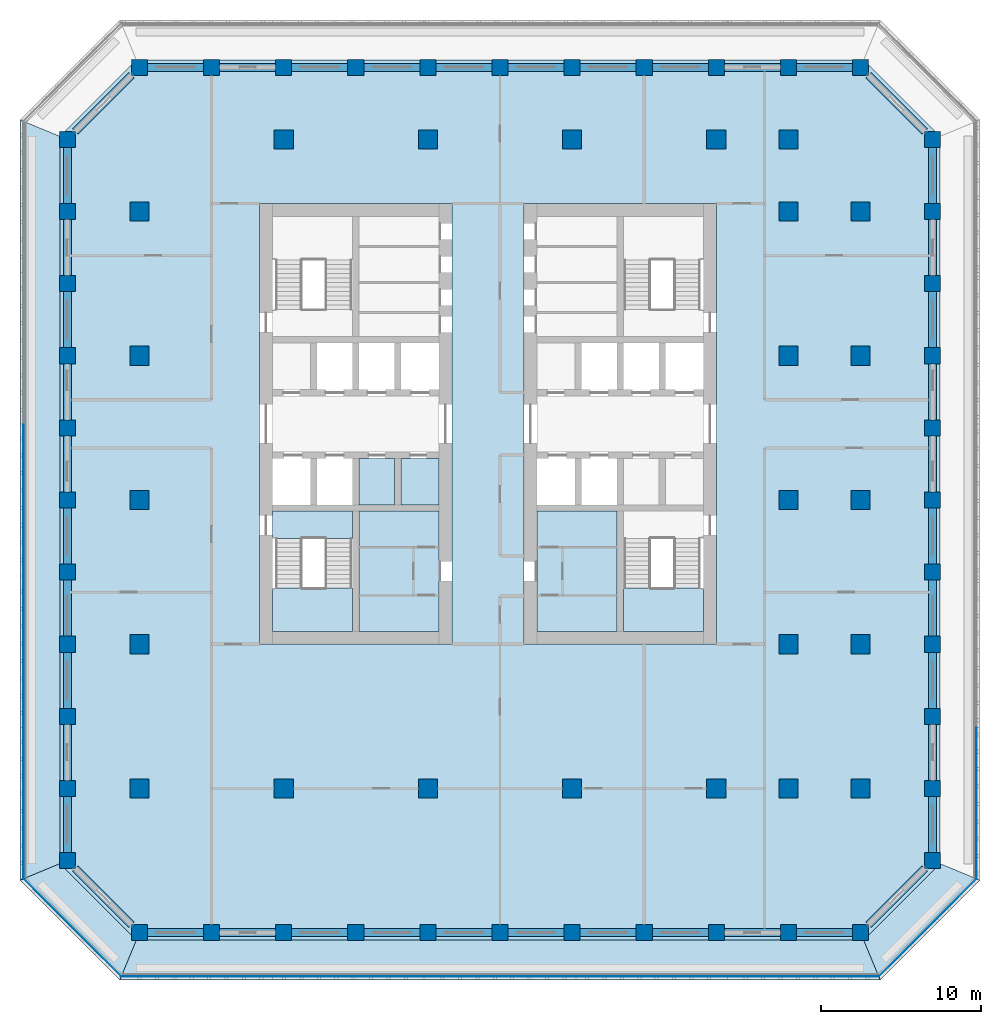
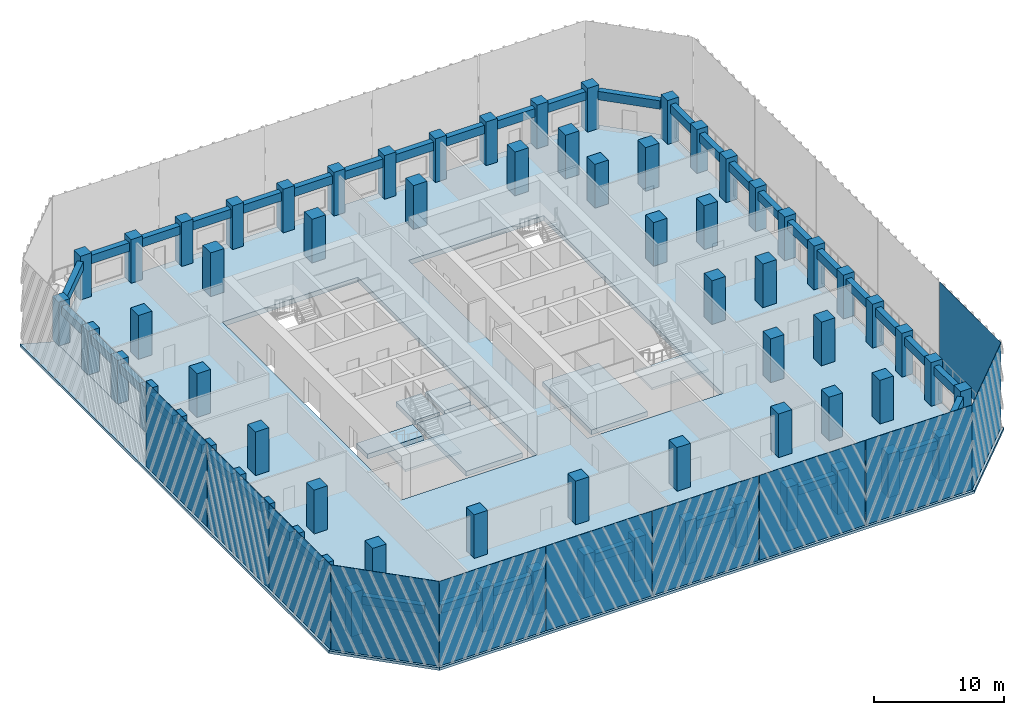
# One storey, part 1 of 16: 68 columns, 44 beams, 12 slabs, 11 plates, 2 elements without a shape of their own.
"""IFC4 building model written with IfcOpenShell, lengths in metres."""

from ifc_helpers import new_model, si_unit, direction, frame, origin, origin_2d, place, context, subcontext, project, spatial, polyline, rectangle, outline, extrude, material, layer, layer_set, material_profile, profile_set, type_object, element, aggregate, save


model = new_model("IFC4")

# Units and contexts
model_context = context("Model", 3, precision=1e-05, world=origin(), true_north=direction((0.0, 1.0)))
body_context = subcontext(model_context, "Body", "Model", "MODEL_VIEW")
ifc_project = project(units=[si_unit("LENGTHUNIT", "METRE"), si_unit("AREAUNIT", "SQUARE_METRE"), si_unit("VOLUMEUNIT", "CUBIC_METRE"), si_unit("PLANEANGLEUNIT", "RADIAN"), si_unit("MASSUNIT", "GRAM", prefix="KILO")], contexts=[model_context])

# Site, building, storey
site_placement = place(None, origin())
site = spatial("IfcSite", under=ifc_project, at=site_placement, CompositionType="ELEMENT")
building_placement = place(site_placement, origin())
building = spatial("IfcBuilding", under=site, at=building_placement, Name="Corbel Stack Research Tower", CompositionType="ELEMENT")
storey_placement = place(building_placement, frame((0.0, 0.0, 199.699951171875)))
storey = spatial("IfcBuildingStorey", under=building, at=storey_placement, Name="L45", CompositionType="ELEMENT", Elevation=199.699951171875)

# Columns
ifc_material_1 = material(Name="Concrete C60/75", Category="concrete")
ifc_material_profile_1 = material_profile(ifc_material_1, rectangle(XDim=1.0, YDim=1.0, at=origin_2d()), Name="RC 1000 x 1000")
ifc_profile_set_1 = profile_set([ifc_material_profile_1], Name="Concrete C60/75")
column_type_1 = type_object("IfcColumnType", Name="C-1000-60", PredefinedType="COLUMN", material=ifc_profile_set_1)
for number, where, z_axis, x_axis, name in (
    (1, (-22.5, -22.5, 0.0), (0.0, 0.0, 1.0), (1.0, 0.0, 0.0), "Column 3/C L45"),
    (2, (-22.5, -18.0, 0.0), (0.0, 0.0, 1.0), (1.0, 0.0, 0.0), "Column 3/D L45"),
    (3, (-22.5, -13.5, 0.0), (0.0, 0.0, 1.0), (1.0, 0.0, 0.0), "Column 3/E L45"),
    (4, (-22.5, -9.0, 0.0), (0.0, 0.0, 1.0), (1.0, 0.0, 0.0), "Column 3/F L45"),
    (5, (-22.5, -4.5, 0.0), (0.0, 0.0, 1.0), (1.0, 0.0, 0.0), "Column 3/G L45"),
    (6, (-22.5, 0.0, 0.0), (0.0, 0.0, 1.0), (1.0, 0.0, 0.0), "Column 3/H L45"),
    (7, (-22.5, 4.5, 0.0), (0.0, 0.0, 1.0), (1.0, 0.0, 0.0), "Column 3/J L45"),
    (8, (-22.5, 9.0, 0.0), (0.0, 0.0, 1.0), (1.0, 0.0, 0.0), "Column 3/K L45"),
    (9, (-22.5, 13.5, 0.0), (0.0, 0.0, 1.0), (1.0, 0.0, 0.0), "Column 3/L L45"),
    (10, (-22.5, 18.0, 0.0), (0.0, 0.0, 1.0), (1.0, 0.0, 0.0), "Column 3/M L45"),
    (11, (-22.5, 22.5, 0.0), (0.0, 0.0, 1.0), (1.0, 0.0, 0.0), "Column 3/N L45"),
    (12, (-18.0, -27.0, 0.0), (0.0, 0.0, 1.0), (1.0, 0.0, 0.0), "Column 4/B L45"),
    (13, (-18.0, 27.0, 0.0), (0.0, 0.0, 1.0), (1.0, 0.0, 0.0), "Column 4/P L45"),
    (14, (-13.5, -27.0, 0.0), (0.0, 0.0, 1.0), (1.0, 0.0, 0.0), "Column 5/B L45"),
    (15, (-13.5, 27.0, 0.0), (0.0, 0.0, 1.0), (1.0, 0.0, 0.0), "Column 5/P L45"),
    (16, (-9.0, -27.0, 0.0), (0.0, 0.0, 1.0), (1.0, 0.0, 0.0), "Column 6/B L45"),
    (17, (-9.0, 27.0, 0.0), (0.0, 0.0, 1.0), (1.0, 0.0, 0.0), "Column 6/P L45"),
    (18, (-4.5, -27.0, 0.0), (0.0, 0.0, 1.0), (1.0, 0.0, 0.0), "Column 7/B L45"),
    (19, (-4.5, 27.0, 0.0), (0.0, 0.0, 1.0), (1.0, 0.0, 0.0), "Column 7/P L45"),
    (20, (0.0, -27.0, 0.0), (0.0, 0.0, 1.0), (1.0, 0.0, 0.0), "Column 8/B L45"),
    (21, (0.0, 27.0, 0.0), (0.0, 0.0, 1.0), (1.0, 0.0, 0.0), "Column 8/P L45"),
    (22, (4.5, -27.0, 0.0), (0.0, 0.0, 1.0), (1.0, 0.0, 0.0), "Column 9/B L45"),
    (23, (4.5, 27.0, 0.0), (0.0, 0.0, 1.0), (1.0, 0.0, 0.0), "Column 9/P L45"),
    (24, (9.0, -27.0, 0.0), (0.0, 0.0, 1.0), (1.0, 0.0, 0.0), "Column 10/B L45"),
    (25, (9.0, 27.0, 0.0), (0.0, 0.0, 1.0), (1.0, 0.0, 0.0), "Column 10/P L45"),
    (26, (13.5, -27.0, 0.0), (0.0, 0.0, 1.0), (1.0, 0.0, 0.0), "Column 11/B L45"),
    (27, (13.5, 27.0, 0.0), (0.0, 0.0, 1.0), (1.0, 0.0, 0.0), "Column 11/P L45"),
    (28, (18.0, -27.0, 0.0), (0.0, 0.0, 1.0), (1.0, 0.0, 0.0), "Column 12/B L45"),
    (29, (18.0, 27.0, 0.0), (0.0, 0.0, 1.0), (1.0, 0.0, 0.0), "Column 12/P L45"),
    (30, (22.5, -27.0, 0.0), (0.0, 0.0, 1.0), (1.0, 0.0, 0.0), "Column 13/B L45"),
    (31, (22.5, 27.0, 0.0), (0.0, 0.0, 1.0), (1.0, 0.0, 0.0), "Column 13/P L45"),
    (32, (27.0, -27.0, 0.0), (0.0, 0.0, 1.0), (1.0, 0.0, 0.0), "Column 14/B L45"),
    (33, (27.0, 27.0, 0.0), (0.0, 0.0, 1.0), (1.0, 0.0, 0.0), "Column 14/P L45"),
    (34, (31.5, -22.5, 0.0), (0.0, 0.0, 1.0), (1.0, 0.0, 0.0), "Column 15/C L45"),
    (35, (31.5, -18.0, 0.0), (0.0, 0.0, 1.0), (1.0, 0.0, 0.0), "Column 15/D L45"),
    (36, (31.5, -13.5, 0.0), (0.0, 0.0, 1.0), (1.0, 0.0, 0.0), "Column 15/E L45"),
    (37, (31.5, -9.0, 0.0), (0.0, 0.0, 1.0), (1.0, 0.0, 0.0), "Column 15/F L45"),
    (38, (31.5, -4.5, 0.0), (0.0, 0.0, 1.0), (1.0, 0.0, 0.0), "Column 15/G L45"),
    (39, (31.5, 0.0, 0.0), (0.0, 0.0, 1.0), (1.0, 0.0, 0.0), "Column 15/H L45"),
    (40, (31.5, 4.5, 0.0), (0.0, 0.0, 1.0), (1.0, 0.0, 0.0), "Column 15/J L45"),
    (41, (31.5, 9.0, 0.0), (0.0, 0.0, 1.0), (1.0, 0.0, 0.0), "Column 15/K L45"),
    (42, (31.5, 13.5, 0.0), (0.0, 0.0, 1.0), (1.0, 0.0, 0.0), "Column 15/L L45"),
    (43, (31.5, 18.0, 0.0), (0.0, 0.0, 1.0), (1.0, 0.0, 0.0), "Column 15/M L45"),
    (44, (31.5, 22.5, 0.0), (0.0, 0.0, 1.0), (1.0, 0.0, 0.0), "Column 15/N L45"),
):
    element("IfcColumn", number, at=place(storey_placement, frame(where, z_axis=z_axis, x_axis=x_axis)), inside=storey, type_object=column_type_1, Name=name, PredefinedType="COLUMN", context=body_context, shape_type="SweptSolid", body=[
        extrude(rectangle(XDim=1.0, YDim=1.0, at=origin_2d()), origin(), (0.0, 0.0, 1.0), 4.10009765625),
    ])
ifc_material_2 = material(Name="Concrete C60/75", Category="concrete")
ifc_material_profile_2 = material_profile(ifc_material_2, rectangle(XDim=1.199951171875, YDim=1.199951171875, at=origin_2d()), Name="RC 1200 x 1200")
ifc_profile_set_2 = profile_set([ifc_material_profile_2], Name="Concrete C60/75")
column_type_2 = type_object("IfcColumnType", Name="C-1200-60", PredefinedType="COLUMN", material=ifc_profile_set_2)
for number, where, z_axis, x_axis, name in (
    (45, (-18.0, -18.0, 0.0), (0.0, 0.0, 1.0), (1.0, 0.0, 0.0), "Column 4/D L45"),
    (46, (-18.0, -9.0, 0.0), (0.0, 0.0, 1.0), (1.0, 0.0, 0.0), "Column 4/F L45"),
    (47, (-18.0, 0.0, 0.0), (0.0, 0.0, 1.0), (1.0, 0.0, 0.0), "Column 4/H L45"),
    (48, (-18.0, 9.0, 0.0), (0.0, 0.0, 1.0), (1.0, 0.0, 0.0), "Column 4/K L45"),
    (49, (-18.0, 18.0, 0.0), (0.0, 0.0, 1.0), (1.0, 0.0, 0.0), "Column 4/M L45"),
    (50, (-9.0, -18.0, 0.0), (0.0, 0.0, 1.0), (1.0, 0.0, 0.0), "Column 6/D L45"),
    (51, (-9.0, 22.5, 0.0), (0.0, 0.0, 1.0), (1.0, 0.0, 0.0), "Column 6/N L45"),
    (52, (0.0, -18.0, 0.0), (0.0, 0.0, 1.0), (1.0, 0.0, 0.0), "Column 8/D L45"),
    (53, (0.0, 22.5, 0.0), (0.0, 0.0, 1.0), (1.0, 0.0, 0.0), "Column 8/N L45"),
    (54, (9.0, -18.0, 0.0), (0.0, 0.0, 1.0), (1.0, 0.0, 0.0), "Column 10/D L45"),
    (55, (9.0, 22.5, 0.0), (0.0, 0.0, 1.0), (1.0, 0.0, 0.0), "Column 10/N L45"),
    (56, (18.0, -18.0, 0.0), (0.0, 0.0, 1.0), (1.0, 0.0, 0.0), "Column 12/D L45"),
    (57, (18.0, 22.5, 0.0), (0.0, 0.0, 1.0), (1.0, 0.0, 0.0), "Column 12/N L45"),
    (58, (22.5, -18.0, 0.0), (0.0, 0.0, 1.0), (1.0, 0.0, 0.0), "Column 13/D L45"),
    (59, (22.5, -9.0, 0.0), (0.0, 0.0, 1.0), (1.0, 0.0, 0.0), "Column 13/F L45"),
    (60, (22.5, 0.0, 0.0), (0.0, 0.0, 1.0), (1.0, 0.0, 0.0), "Column 13/H L45"),
    (61, (22.5, 9.0, 0.0), (0.0, 0.0, 1.0), (1.0, 0.0, 0.0), "Column 13/K L45"),
    (62, (22.5, 18.0, 0.0), (0.0, 0.0, 1.0), (1.0, 0.0, 0.0), "Column 13/M L45"),
    (63, (22.5, 22.5, 0.0), (0.0, 0.0, 1.0), (1.0, 0.0, 0.0), "Column 13/N L45"),
    (64, (27.0, -18.0, 0.0), (0.0, 0.0, 1.0), (1.0, 0.0, 0.0), "Column 14/D L45"),
    (65, (27.0, -9.0, 0.0), (0.0, 0.0, 1.0), (1.0, 0.0, 0.0), "Column 14/F L45"),
    (66, (27.0, 0.0, 0.0), (0.0, 0.0, 1.0), (1.0, 0.0, 0.0), "Column 14/H L45"),
    (67, (27.0, 9.0, 0.0), (0.0, 0.0, 1.0), (1.0, 0.0, 0.0), "Column 14/K L45"),
    (68, (27.0, 18.0, 0.0), (0.0, 0.0, 1.0), (1.0, 0.0, 0.0), "Column 14/M L45"),
):
    element("IfcColumn", number, at=place(storey_placement, frame(where, z_axis=z_axis, x_axis=x_axis)), inside=storey, type_object=column_type_2, Name=name, PredefinedType="COLUMN", context=body_context, shape_type="SweptSolid", body=[
        extrude(rectangle(XDim=1.199951171875, YDim=1.199951171875, at=origin_2d()), origin(), (0.0, 0.0, 1.0), 4.10009765625),
    ])

# Beams
ifc_material_3 = material(Name="Concrete C60/75", Category="concrete")
ifc_material_profile_3 = material_profile(ifc_material_3, rectangle(XDim=0.5, YDim=0.800048828125, at=origin_2d()), Name="RC 500 x 800")
ifc_profile_set_3 = profile_set([ifc_material_profile_3], Name="Concrete C60/75")
beam_type = type_object("IfcBeamType", Name="SB-500-800-450", PredefinedType="SPANDREL", material=ifc_profile_set_3)
for number, where, z_axis, x_axis, name in (
    (69, (-17.5, -27.0, 3.25), (1.0, 0.0, 0.0), (0.0, 1.0, 0.0), "Spandrel beam L45-01"),
    (70, (-13.0, -27.0, 3.25), (1.0, 0.0, 0.0), (0.0, 1.0, 0.0), "Spandrel beam L45-02"),
    (71, (-8.5, -27.0, 3.25), (1.0, 0.0, 0.0), (0.0, 1.0, 0.0), "Spandrel beam L45-03"),
    (72, (-4.0, -27.0, 3.25), (1.0, 0.0, 0.0), (0.0, 1.0, 0.0), "Spandrel beam L45-04"),
    (73, (0.5, -27.0, 3.25), (1.0, 0.0, 0.0), (0.0, 1.0, 0.0), "Spandrel beam L45-05"),
    (74, (5.0, -27.0, 3.25), (1.0, 0.0, 0.0), (0.0, 1.0, 0.0), "Spandrel beam L45-06"),
    (75, (9.5, -27.0, 3.25), (1.0, 0.0, 0.0), (0.0, 1.0, 0.0), "Spandrel beam L45-07"),
    (76, (14.0, -27.0, 3.25), (1.0, 0.0, 0.0), (0.0, 1.0, 0.0), "Spandrel beam L45-08"),
    (77, (18.5, -27.0, 3.25), (1.0, 0.0, 0.0), (0.0, 1.0, 0.0), "Spandrel beam L45-09"),
    (78, (23.0, -27.0, 3.25), (1.0, 0.0, 0.0), (0.0, 1.0, 0.0), "Spandrel beam L45-10"),
):
    element("IfcBeam", number, at=place(storey_placement, frame(where, z_axis=z_axis, x_axis=x_axis)), inside=storey, type_object=beam_type, Name=name, PredefinedType="SPANDREL", context=body_context, shape_type="SweptSolid", body=[
        extrude(rectangle(XDim=0.5, YDim=0.800048828125, at=origin_2d()), origin(), (0.0, 0.0, 1.0), 3.5),
    ])
beam_1_placement = place(storey_placement, frame((27.5, -26.5, 3.25), z_axis=(0.707106781187, 0.707106781187, 0.0), x_axis=(-0.707106781187, 0.707106781187, 0.0)))
element("IfcBeam", 79, at=beam_1_placement, inside=storey, type_object=beam_type, Name="Spandrel beam L45-11", PredefinedType="SPANDREL", context=body_context, shape_type="SweptSolid", body=[
    extrude(rectangle(XDim=0.5, YDim=0.800048828125, at=origin_2d()), origin(), (0.0, 0.0, 1.0), 4.94970703125),
])
for number, where, z_axis, x_axis, name in (
    (80, (31.5, -22.0, 3.25), (0.0, 1.0, 0.0), (-1.0, 0.0, 0.0), "Spandrel beam L45-12"),
    (81, (31.5, -17.5, 3.25), (0.0, 1.0, 0.0), (-1.0, 0.0, 0.0), "Spandrel beam L45-13"),
    (82, (31.5, -13.0, 3.25), (0.0, 1.0, 0.0), (-1.0, 0.0, 0.0), "Spandrel beam L45-14"),
    (83, (31.5, -8.5, 3.25), (0.0, 1.0, 0.0), (-1.0, 0.0, 0.0), "Spandrel beam L45-15"),
    (84, (31.5, -4.0, 3.25), (0.0, 1.0, 0.0), (-1.0, 0.0, 0.0), "Spandrel beam L45-16"),
    (85, (31.5, 0.5, 3.25), (0.0, 1.0, 0.0), (-1.0, 0.0, 0.0), "Spandrel beam L45-17"),
    (86, (31.5, 5.0, 3.25), (0.0, 1.0, 0.0), (-1.0, 0.0, 0.0), "Spandrel beam L45-18"),
    (87, (31.5, 9.5, 3.25), (0.0, 1.0, 0.0), (-1.0, 0.0, 0.0), "Spandrel beam L45-19"),
    (88, (31.5, 14.0, 3.25), (0.0, 1.0, 0.0), (-1.0, 0.0, 0.0), "Spandrel beam L45-20"),
    (89, (31.5, 18.5, 3.25), (0.0, 1.0, 0.0), (-1.0, 0.0, 0.0), "Spandrel beam L45-21"),
):
    element("IfcBeam", number, at=place(storey_placement, frame(where, z_axis=z_axis, x_axis=x_axis)), inside=storey, type_object=beam_type, Name=name, PredefinedType="SPANDREL", context=body_context, shape_type="SweptSolid", body=[
        extrude(rectangle(XDim=0.5, YDim=0.800048828125, at=origin_2d()), origin(), (0.0, 0.0, 1.0), 3.5),
    ])
beam_2_placement = place(storey_placement, frame((31.0, 23.0, 3.25), z_axis=(-0.707106781187, 0.707106781187, 0.0), x_axis=(-0.707106781187, -0.707106781187, 0.0)))
element("IfcBeam", 90, at=beam_2_placement, inside=storey, type_object=beam_type, Name="Spandrel beam L45-22", PredefinedType="SPANDREL", context=body_context, shape_type="SweptSolid", body=[
    extrude(rectangle(XDim=0.5, YDim=0.800048828125, at=origin_2d()), origin(), (0.0, 0.0, 1.0), 4.94970703125),
])
for number, where, z_axis, x_axis, name in (
    (91, (26.5, 27.0, 3.25), (-1.0, 0.0, 0.0), (0.0, -1.0, 0.0), "Spandrel beam L45-23"),
    (92, (22.0, 27.0, 3.25), (-1.0, 0.0, 0.0), (0.0, -1.0, 0.0), "Spandrel beam L45-24"),
    (93, (17.5, 27.0, 3.25), (-1.0, 0.0, 0.0), (0.0, -1.0, 0.0), "Spandrel beam L45-25"),
    (94, (13.0, 27.0, 3.25), (-1.0, 0.0, 0.0), (0.0, -1.0, 0.0), "Spandrel beam L45-26"),
    (95, (8.5, 27.0, 3.25), (-1.0, 0.0, 0.0), (0.0, -1.0, 0.0), "Spandrel beam L45-27"),
    (96, (4.0, 27.0, 3.25), (-1.0, 0.0, 0.0), (0.0, -1.0, 0.0), "Spandrel beam L45-28"),
    (97, (-0.5, 27.0, 3.25), (-1.0, 0.0, 0.0), (0.0, -1.0, 0.0), "Spandrel beam L45-29"),
    (98, (-5.0, 27.0, 3.25), (-1.0, 0.0, 0.0), (0.0, -1.0, 0.0), "Spandrel beam L45-30"),
    (99, (-9.5, 27.0, 3.25), (-1.0, 0.0, 0.0), (0.0, -1.0, 0.0), "Spandrel beam L45-31"),
    (100, (-14.0, 27.0, 3.25), (-1.0, 0.0, 0.0), (0.0, -1.0, 0.0), "Spandrel beam L45-32"),
):
    element("IfcBeam", number, at=place(storey_placement, frame(where, z_axis=z_axis, x_axis=x_axis)), inside=storey, type_object=beam_type, Name=name, PredefinedType="SPANDREL", context=body_context, shape_type="SweptSolid", body=[
        extrude(rectangle(XDim=0.5, YDim=0.800048828125, at=origin_2d()), origin(), (0.0, 0.0, 1.0), 3.5),
    ])
beam_3_placement = place(storey_placement, frame((-18.5, 26.5, 3.25), z_axis=(-0.707106781187, -0.707106781187, 0.0), x_axis=(0.707106781187, -0.707106781187, 0.0)))
element("IfcBeam", 101, at=beam_3_placement, inside=storey, type_object=beam_type, Name="Spandrel beam L45-33", PredefinedType="SPANDREL", context=body_context, shape_type="SweptSolid", body=[
    extrude(rectangle(XDim=0.5, YDim=0.800048828125, at=origin_2d()), origin(), (0.0, 0.0, 1.0), 4.94970703125),
])
for number, where, z_axis, x_axis, name in (
    (102, (-22.5, 22.0, 3.25), (0.0, -1.0, 0.0), (1.0, 0.0, 0.0), "Spandrel beam L45-34"),
    (103, (-22.5, 17.5, 3.25), (0.0, -1.0, 0.0), (1.0, 0.0, 0.0), "Spandrel beam L45-35"),
    (104, (-22.5, 13.0, 3.25), (0.0, -1.0, 0.0), (1.0, 0.0, 0.0), "Spandrel beam L45-36"),
    (105, (-22.5, 8.5, 3.25), (0.0, -1.0, 0.0), (1.0, 0.0, 0.0), "Spandrel beam L45-37"),
    (106, (-22.5, 4.0, 3.25), (0.0, -1.0, 0.0), (1.0, 0.0, 0.0), "Spandrel beam L45-38"),
    (107, (-22.5, -0.5, 3.25), (0.0, -1.0, 0.0), (1.0, 0.0, 0.0), "Spandrel beam L45-39"),
    (108, (-22.5, -5.0, 3.25), (0.0, -1.0, 0.0), (1.0, 0.0, 0.0), "Spandrel beam L45-40"),
    (109, (-22.5, -9.5, 3.25), (0.0, -1.0, 0.0), (1.0, 0.0, 0.0), "Spandrel beam L45-41"),
    (110, (-22.5, -14.0, 3.25), (0.0, -1.0, 0.0), (1.0, 0.0, 0.0), "Spandrel beam L45-42"),
    (111, (-22.5, -18.5, 3.25), (0.0, -1.0, 0.0), (1.0, 0.0, 0.0), "Spandrel beam L45-43"),
):
    element("IfcBeam", number, at=place(storey_placement, frame(where, z_axis=z_axis, x_axis=x_axis)), inside=storey, type_object=beam_type, Name=name, PredefinedType="SPANDREL", context=body_context, shape_type="SweptSolid", body=[
        extrude(rectangle(XDim=0.5, YDim=0.800048828125, at=origin_2d()), origin(), (0.0, 0.0, 1.0), 3.5),
    ])
beam_4_placement = place(storey_placement, frame((-22.0, -23.0, 3.25), z_axis=(0.707106781187, -0.707106781187, 0.0), x_axis=(0.707106781187, 0.707106781187, 0.0)))
element("IfcBeam", 112, at=beam_4_placement, inside=storey, type_object=beam_type, Name="Spandrel beam L45-44", PredefinedType="SPANDREL", context=body_context, shape_type="SweptSolid", body=[
    extrude(rectangle(XDim=0.5, YDim=0.800048828125, at=origin_2d()), origin(), (0.0, 0.0, 1.0), 4.94970703125),
])

# Plates
ifc_material_4 = material(Name="Fritted glass", Category="glass")
ifc_layer_1 = layer(ifc_material_4, 0.02490234375)
ifc_layer_set_1 = layer_set([ifc_layer_1], Name="Fritted glass")
plate_type = type_object("IfcPlateType", Name="Fritted glass panel 25", PredefinedType="SHEET", material=ifc_layer_set_1)
for number, where, z_axis, x_axis, name in (
    (113, (-14.411376953125, -29.737548828125, 0.0), (0.0, 0.0, 1.0), (1.0, 0.0, 0.0), "Fritted glass L45 S1"),
    (114, (-4.95556640625, -29.737548828125, 0.0), (0.0, 0.0, 1.0), (1.0, 0.0, 0.0), "Fritted glass L45 S2"),
    (115, (4.5, -29.737548828125, 0.0), (0.0, 0.0, 1.0), (1.0, 0.0, 0.0), "Fritted glass L45 S3"),
    (116, (13.95556640625, -29.737548828125, 0.0), (0.0, 0.0, 1.0), (1.0, 0.0, 0.0), "Fritted glass L45 S4"),
    (117, (23.411376953125, -29.737548828125, 0.0), (0.0, 0.0, 1.0), (1.0, 0.0, 0.0), "Fritted glass L45 S5"),
):
    element("IfcPlate", number, at=place(storey_placement, frame(where, z_axis=z_axis, x_axis=x_axis)), inside=storey, type_object=plate_type, Name=name, PredefinedType="SHEET", context=body_context, shape_type="SweptSolid", body=[
        extrude(rectangle(XDim=9.3955078125, YDim=0.02490234375, at=origin_2d()), origin(), (0.0, 0.0, 1.0), 7.949951171875),
    ])
plate_1_placement = place(storey_placement, frame((31.185791015625, -26.685791015625, 0.0), z_axis=(0.0, 0.0, 1.0), x_axis=(0.707106781187, 0.707106781187, 0.0)))
element("IfcPlate", 118, at=plate_1_placement, inside=storey, type_object=plate_type, Name="Fritted glass L45 SE1", PredefinedType="SHEET", context=body_context, shape_type="SweptSolid", body=[
    extrude(rectangle(XDim=8.58203125, YDim=0.02490234375, at=origin_2d()), origin(), (0.0, 0.0, 1.0), 7.949951171875),
])
for number, where, z_axis, x_axis, name in (
    (119, (34.237548828125, -18.911376953125, 0.0), (0.0, 0.0, 1.0), (0.0, 1.0, 0.0), "Fritted glass L45 E1"),
    (120, (-25.237548828125, 0.0, 0.0), (0.0, 0.0, 1.0), (0.0, -1.0, 0.0), "Fritted glass L45 W3"),
    (121, (-25.237548828125, -9.45556640625, 0.0), (0.0, 0.0, 1.0), (0.0, -1.0, 0.0), "Fritted glass L45 W4"),
    (122, (-25.237548828125, -18.911376953125, 0.0), (0.0, 0.0, 1.0), (0.0, -1.0, 0.0), "Fritted glass L45 W5"),
):
    element("IfcPlate", number, at=place(storey_placement, frame(where, z_axis=z_axis, x_axis=x_axis)), inside=storey, type_object=plate_type, Name=name, PredefinedType="SHEET", context=body_context, shape_type="SweptSolid", body=[
        extrude(rectangle(XDim=9.3955078125, YDim=0.02490234375, at=origin_2d()), origin(), (0.0, 0.0, 1.0), 7.949951171875),
    ])
plate_2_placement = place(storey_placement, frame((-22.185791015625, -26.685791015625, 0.0), z_axis=(0.0, 0.0, 1.0), x_axis=(0.707106781187, -0.707106781187, 0.0)))
element("IfcPlate", 123, at=plate_2_placement, inside=storey, type_object=plate_type, Name="Fritted glass L45 SW1", PredefinedType="SHEET", context=body_context, shape_type="SweptSolid", body=[
    extrude(rectangle(XDim=8.58203125, YDim=0.02490234375, at=origin_2d()), origin(), (0.0, 0.0, 1.0), 7.949951171875),
])

# Slabs
ifc_material_5 = material(Name="Concrete C45/55", Category="concrete")
ifc_layer_2 = layer(ifc_material_5, 0.25)
ifc_layer_set_2 = layer_set([ifc_layer_2], Name="Concrete C45/55")
slab_type_1 = type_object("IfcSlabType", Name="PT balcony slab 250 C45/55", PredefinedType="FLOOR", material=ifc_layer_set_2)
slab_1_placement = place(storey_placement, frame((0.0, 0.0, -0.25)))
element("IfcSlab", 124, at=slab_1_placement, inside=storey, type_object=slab_type_1, Name="Loggia slab L45 S", PredefinedType="FLOOR", context=body_context, shape_type="SweptSolid", body=[
    extrude(outline(polyline([(27.20703125, -27.5), (26.5, -27.5), (26.5, -27.449951171875), (23.0, -27.449951171875), (23.0, -27.5), (22.0, -27.5), (22.0, -27.449951171875), (18.5, -27.449951171875), (18.5, -27.5), (17.5, -27.5), (17.5, -27.449951171875), (14.0, -27.449951171875), (14.0, -27.5), (13.0, -27.5), (13.0, -27.449951171875), (9.5, -27.449951171875), (9.5, -27.5), (8.5, -27.5), (8.5, -27.449951171875), (5.0, -27.449951171875), (5.0, -27.5), (4.0, -27.5), (4.0, -27.449951171875), (0.5, -27.449951171875), (0.5, -27.5), (-0.5, -27.5), (-0.5, -27.449951171875), (-4.0, -27.449951171875), (-4.0, -27.5), (-5.0, -27.5), (-5.0, -27.449951171875), (-8.5, -27.449951171875), (-8.5, -27.5), (-9.5, -27.5), (-9.5, -27.449951171875), (-13.0, -27.449951171875), (-13.0, -27.5), (-14.0, -27.5), (-14.0, -27.449951171875), (-17.5, -27.449951171875), (-17.5, -27.5), (-18.20703125, -27.5), (-19.221923828125, -29.949951171875), (28.221923828125, -29.949951171875), (27.20703125, -27.5)])), origin(), (0.0, 0.0, 1.0), 0.25),
])
slab_2_placement = place(storey_placement, frame((0.0, 0.0, -0.25)))
element("IfcSlab", 125, at=slab_2_placement, inside=storey, type_object=slab_type_1, Name="Loggia slab L45 SE", PredefinedType="FLOOR", context=body_context, shape_type="SweptSolid", body=[
    extrude(outline(polyline([(32.0, -22.70703125), (32.0, -23.0), (31.636474609375, -23.0), (27.5, -27.136474609375), (27.5, -27.5), (27.20703125, -27.5), (28.221923828125, -29.949951171875), (34.449951171875, -23.721923828125), (32.0, -22.70703125)])), origin(), (0.0, 0.0, 1.0), 0.25),
])
slab_3_placement = place(storey_placement, frame((0.0, 0.0, -0.25)))
element("IfcSlab", 126, at=slab_3_placement, inside=storey, type_object=slab_type_1, Name="Loggia slab L45 W", PredefinedType="FLOOR", context=body_context, shape_type="SweptSolid", body=[
    extrude(outline(polyline([(-23.0, -22.70703125), (-23.0, -22.0), (-22.949951171875, -22.0), (-22.949951171875, -18.5), (-23.0, -18.5), (-23.0, -17.5), (-22.949951171875, -17.5), (-22.949951171875, -14.0), (-23.0, -14.0), (-23.0, -13.0), (-22.949951171875, -13.0), (-22.949951171875, -9.5), (-23.0, -9.5), (-23.0, -8.5), (-22.949951171875, -8.5), (-22.949951171875, -5.0), (-23.0, -5.0), (-23.0, -4.0), (-22.949951171875, -4.0), (-22.949951171875, -0.5), (-23.0, -0.5), (-23.0, 0.5), (-22.949951171875, 0.5), (-22.949951171875, 4.0), (-23.0, 4.0), (-23.0, 5.0), (-22.949951171875, 5.0), (-22.949951171875, 8.5), (-23.0, 8.5), (-23.0, 9.5), (-22.949951171875, 9.5), (-22.949951171875, 13.0), (-23.0, 13.0), (-23.0, 14.0), (-22.949951171875, 14.0), (-22.949951171875, 17.5), (-23.0, 17.5), (-23.0, 18.5), (-22.949951171875, 18.5), (-22.949951171875, 22.0), (-23.0, 22.0), (-23.0, 22.70703125), (-25.449951171875, 23.721923828125), (-25.449951171875, -23.721923828125), (-23.0, -22.70703125)])), origin(), (0.0, 0.0, 1.0), 0.25),
])
slab_4_placement = place(storey_placement, frame((0.0, 0.0, -0.25)))
element("IfcSlab", 127, at=slab_4_placement, inside=storey, type_object=slab_type_1, Name="Loggia slab L45 SW", PredefinedType="FLOOR", context=body_context, shape_type="SweptSolid", body=[
    extrude(outline(polyline([(-18.20703125, -27.5), (-18.5, -27.5), (-18.5, -27.136474609375), (-22.636474609375, -23.0), (-23.0, -23.0), (-23.0, -22.70703125), (-25.449951171875, -23.721923828125), (-19.221923828125, -29.949951171875), (-18.20703125, -27.5)])), origin(), (0.0, 0.0, 1.0), 0.25),
])
ifc_material_6 = material(Name="Concrete C45/55", Category="concrete")
ifc_layer_3 = layer(ifc_material_6, 0.449951171875)
ifc_layer_set_3 = layer_set([ifc_layer_3], Name="Concrete C45/55")
slab_type_2 = type_object("IfcSlabType", Name="PT-450", PredefinedType="FLOOR", material=ifc_layer_set_3)
slab_5_placement = place(storey_placement, frame((0.0, 0.0, -0.449951171875)))
element("IfcSlab", 128, at=slab_5_placement, inside=storey, type_object=slab_type_2, Name="Floor slab L45", PredefinedType="FLOOR", context=body_context, shape_type="SweptSolid", body=[
    extrude(outline(polyline([(-18.186279296875, -27.449951171875), (27.186279296875, -27.449951171875), (31.949951171875, -22.686279296875), (31.949951171875, 22.686279296875), (27.186279296875, 27.449951171875), (-18.186279296875, 27.449951171875), (-22.949951171875, 22.686279296875), (-22.949951171875, -22.686279296875), (-18.186279296875, -27.449951171875)]), holes=[polyline([(26.39990234375, 17.39990234375), (26.39990234375, 18.60009765625), (27.60009765625, 18.60009765625), (27.60009765625, 17.39990234375), (26.39990234375, 17.39990234375)]), polyline([(26.39990234375, 8.39990234375), (26.39990234375, 9.60009765625), (27.60009765625, 9.60009765625), (27.60009765625, 8.39990234375), (26.39990234375, 8.39990234375)]), polyline([(27.60009765625, -0.60009765625), (26.39990234375, -0.60009765625), (26.39990234375, 0.60009765625), (27.60009765625, 0.60009765625), (27.60009765625, -0.60009765625)]), polyline([(26.39990234375, -9.60009765625), (26.39990234375, -8.39990234375), (27.60009765625, -8.39990234375), (27.60009765625, -9.60009765625), (26.39990234375, -9.60009765625)]), polyline([(26.39990234375, -18.60009765625), (26.39990234375, -17.39990234375), (27.60009765625, -17.39990234375), (27.60009765625, -18.60009765625), (26.39990234375, -18.60009765625)]), polyline([(21.89990234375, 21.89990234375), (21.89990234375, 23.10009765625), (23.10009765625, 23.10009765625), (23.10009765625, 21.89990234375), (21.89990234375, 21.89990234375)]), polyline([(21.89990234375, 17.39990234375), (21.89990234375, 18.60009765625), (23.10009765625, 18.60009765625), (23.10009765625, 17.39990234375), (21.89990234375, 17.39990234375)]), polyline([(21.89990234375, 8.39990234375), (21.89990234375, 9.60009765625), (23.10009765625, 9.60009765625), (23.10009765625, 8.39990234375), (21.89990234375, 8.39990234375)]), polyline([(21.89990234375, -0.60009765625), (21.89990234375, 0.60009765625), (23.10009765625, 0.60009765625), (23.10009765625, -0.60009765625), (21.89990234375, -0.60009765625)]), polyline([(23.10009765625, -9.60009765625), (21.89990234375, -9.60009765625), (21.89990234375, -8.39990234375), (23.10009765625, -8.39990234375), (23.10009765625, -9.60009765625)]), polyline([(21.89990234375, -18.60009765625), (21.89990234375, -17.39990234375), (23.10009765625, -17.39990234375), (23.10009765625, -18.60009765625), (21.89990234375, -18.60009765625)]), polyline([(17.39990234375, 21.89990234375), (17.39990234375, 23.10009765625), (18.60009765625, 23.10009765625), (18.60009765625, 21.89990234375), (17.39990234375, 21.89990234375)]), polyline([(18.60009765625, -18.60009765625), (17.39990234375, -18.60009765625), (17.39990234375, -17.39990234375), (18.60009765625, -17.39990234375), (18.60009765625, -18.60009765625)]), polyline([(6.0, -9.0), (6.0, 18.5), (18.0, 18.5), (18.0, -9.0), (6.0, -9.0)]), polyline([(8.39990234375, 21.89990234375), (8.39990234375, 23.10009765625), (9.60009765625, 23.10009765625), (9.60009765625, 21.89990234375), (8.39990234375, 21.89990234375)]), polyline([(9.60009765625, -18.60009765625), (8.39990234375, -18.60009765625), (8.39990234375, -17.39990234375), (9.60009765625, -17.39990234375), (9.60009765625, -18.60009765625)]), polyline([(1.5, -9.0), (-10.5, -9.0), (-10.5, 18.5), (1.5, 18.5), (1.5, -9.0)]), polyline([(-0.60009765625, 21.89990234375), (-0.60009765625, 23.10009765625), (0.60009765625, 23.10009765625), (0.60009765625, 21.89990234375), (-0.60009765625, 21.89990234375)]), polyline([(-0.60009765625, -18.60009765625), (-0.60009765625, -17.39990234375), (0.60009765625, -17.39990234375), (0.60009765625, -18.60009765625), (-0.60009765625, -18.60009765625)]), polyline([(-9.60009765625, 21.89990234375), (-9.60009765625, 23.10009765625), (-8.39990234375, 23.10009765625), (-8.39990234375, 21.89990234375), (-9.60009765625, 21.89990234375)]), polyline([(-9.60009765625, -18.60009765625), (-9.60009765625, -17.39990234375), (-8.39990234375, -17.39990234375), (-8.39990234375, -18.60009765625), (-9.60009765625, -18.60009765625)]), polyline([(-18.60009765625, 17.39990234375), (-18.60009765625, 18.60009765625), (-17.39990234375, 18.60009765625), (-17.39990234375, 17.39990234375), (-18.60009765625, 17.39990234375)]), polyline([(-18.60009765625, 8.39990234375), (-18.60009765625, 9.60009765625), (-17.39990234375, 9.60009765625), (-17.39990234375, 8.39990234375), (-18.60009765625, 8.39990234375)]), polyline([(-18.60009765625, -0.60009765625), (-18.60009765625, 0.60009765625), (-17.39990234375, 0.60009765625), (-17.39990234375, -0.60009765625), (-18.60009765625, -0.60009765625)]), polyline([(-18.60009765625, -9.60009765625), (-18.60009765625, -8.39990234375), (-17.39990234375, -8.39990234375), (-17.39990234375, -9.60009765625), (-18.60009765625, -9.60009765625)]), polyline([(-17.39990234375, -18.60009765625), (-18.60009765625, -18.60009765625), (-18.60009765625, -17.39990234375), (-17.39990234375, -17.39990234375), (-17.39990234375, -18.60009765625)])]), origin(), (0.0, 0.0, 1.0), 0.449951171875),
])
slab_6_placement = place(storey_placement, frame((0.0, 0.0, -0.449951171875)))
element("IfcSlab", 129, at=slab_6_placement, inside=storey, type_object=slab_type_2, Name="West core floor L45", PredefinedType="FLOOR", context=body_context, shape_type="SweptSolid", body=[
    extrude(outline(polyline([(-4.300048828125, -0.699951171875), (-4.300048828125, -8.199951171875), (0.699951171875, -8.199951171875), (0.699951171875, -0.699951171875), (-4.300048828125, -0.699951171875)])), origin(), (0.0, 0.0, 1.0), 0.449951171875),
])
slab_7_placement = place(storey_placement, frame((0.0, 0.0, -0.449951171875)))
element("IfcSlab", 130, at=slab_7_placement, inside=storey, type_object=slab_type_2, Name="West core floor L45", PredefinedType="FLOOR", context=body_context, shape_type="SweptSolid", body=[
    extrude(outline(polyline([(-2.074951171875, -0.300048828125), (-2.074951171875, 2.60009765625), (-4.300048828125, 2.60009765625), (-4.300048828125, -0.300048828125), (-2.074951171875, -0.300048828125)])), origin(), (0.0, 0.0, 1.0), 0.449951171875),
])
slab_8_placement = place(storey_placement, frame((0.0, 0.0, -0.449951171875)))
element("IfcSlab", 131, at=slab_8_placement, inside=storey, type_object=slab_type_2, Name="West core floor L45", PredefinedType="FLOOR", context=body_context, shape_type="SweptSolid", body=[
    extrude(outline(polyline([(0.699951171875, -0.300048828125), (0.699951171875, 2.60009765625), (-1.675048828125, 2.60009765625), (-1.675048828125, -0.300048828125), (0.699951171875, -0.300048828125)])), origin(), (0.0, 0.0, 1.0), 0.449951171875),
])
slab_9_placement = place(storey_placement, frame((0.0, 0.0, -0.449951171875)))
element("IfcSlab", 132, at=slab_9_placement, inside=storey, type_object=slab_type_2, Name="East core floor L45", PredefinedType="FLOOR", context=body_context, shape_type="SweptSolid", body=[
    extrude(outline(polyline([(6.800048828125, -0.699951171875), (6.800048828125, -8.199951171875), (11.800048828125, -8.199951171875), (11.800048828125, -0.699951171875), (6.800048828125, -0.699951171875)])), origin(), (0.0, 0.0, 1.0), 0.449951171875),
])
slab_10_placement = place(storey_placement, frame((0.0, 0.0, -0.449951171875)))
element("IfcSlab", 133, at=slab_10_placement, inside=storey, type_object=slab_type_2, Name="Stair floor landing ST-W1", PredefinedType="FLOOR", context=body_context, shape_type="SweptSolid", body=[
    extrude(outline(polyline([(-9.699951171875, -2.39990234375), (-4.699951171875, -2.39990234375), (-4.699951171875, -0.699951171875), (-9.699951171875, -0.699951171875), (-9.699951171875, -2.39990234375)])), origin(), (0.0, 0.0, 1.0), 0.449951171875),
])

# Stair, slab
ifc_material_7 = material(Name="Concrete C40/50", Category="concrete")
stair_type = type_object("IfcStairType", Name="Exit stair 24 risers", PredefinedType="HALF_TURN_STAIR", material=ifc_material_7)
stair_1_placement = place(storey_placement, origin())
stair_1 = element("IfcStair", 134, at=stair_1_placement, inside=storey, type_object=stair_type, Name="L45 Exit stair ST-W1", PredefinedType="HALF_TURN_STAIR")
ifc_material_8 = material(Name="Concrete C40/50", Category="concrete")
ifc_layer_4 = layer(ifc_material_8, 0.199951171875)
ifc_layer_set_4 = layer_set([ifc_layer_4], Name="Concrete C40/50")
slab_type_3 = type_object("IfcSlabType", Name="Stair landing 200 C40/50", PredefinedType="LANDING", material=ifc_layer_set_4)
slab_11_placement = place(storey_placement, frame((0.0, 0.0, 1.85009765625)))
slab_11 = element("IfcSlab", 135, at=slab_11_placement, type_object=slab_type_3, Name="ST-W1 landing 1", PredefinedType="LANDING", context=body_context, shape_type="SweptSolid", body=[
    extrude(outline(polyline([(-9.699951171875, -8.199951171875), (-9.699951171875, -5.47998046875), (-4.699951171875, -5.47998046875), (-4.699951171875, -8.199951171875), (-9.699951171875, -8.199951171875)])), origin(), (0.0, 0.0, 1.0), 0.199951171875),
])
aggregate(stair_1, [slab_11])

stair_2_placement = place(storey_placement, origin())
stair_2 = element("IfcStair", 136, at=stair_2_placement, inside=storey, type_object=stair_type, Name="L45 Exit stair ST-E1", PredefinedType="HALF_TURN_STAIR")
slab_12_placement = place(storey_placement, frame((0.0, 0.0, 1.85009765625)))
slab_12 = element("IfcSlab", 137, at=slab_12_placement, type_object=slab_type_3, Name="ST-E1 landing 1", PredefinedType="LANDING", context=body_context, shape_type="SweptSolid", body=[
    extrude(outline(polyline([(12.199951171875, -8.199951171875), (12.199951171875, -5.47998046875), (17.199951171875, -5.47998046875), (17.199951171875, -8.199951171875), (12.199951171875, -8.199951171875)])), origin(), (0.0, 0.0, 1.0), 0.199951171875),
])
aggregate(stair_2, [slab_12])

save(model, "model.ifc")
